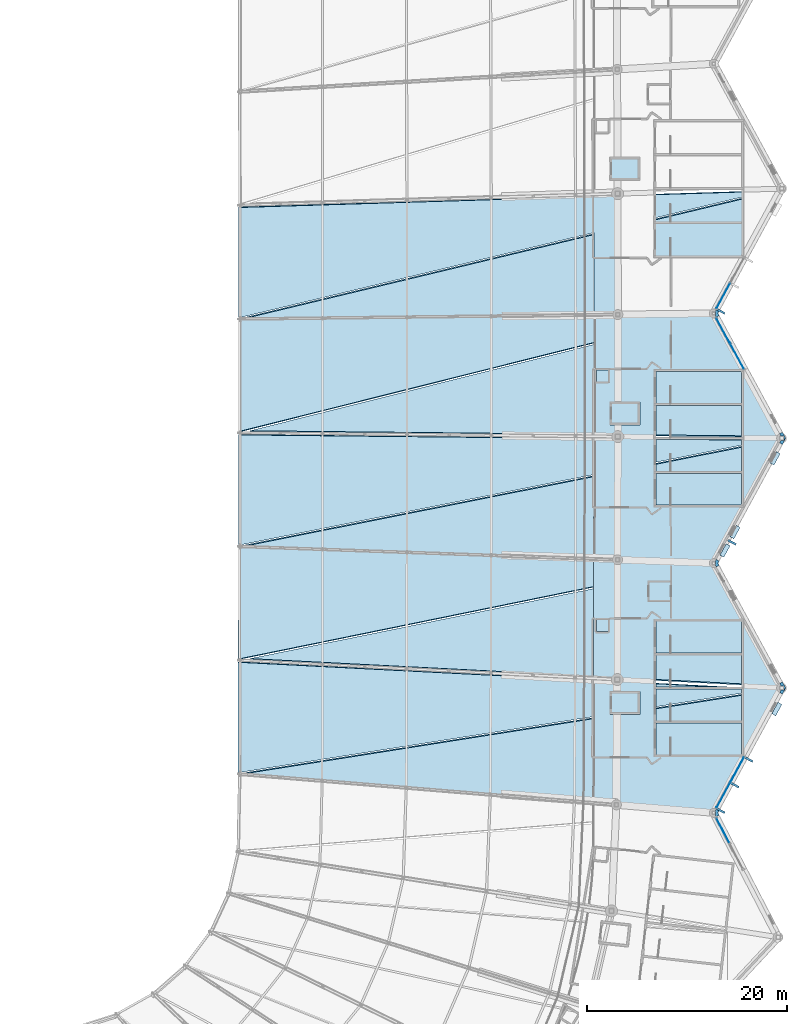
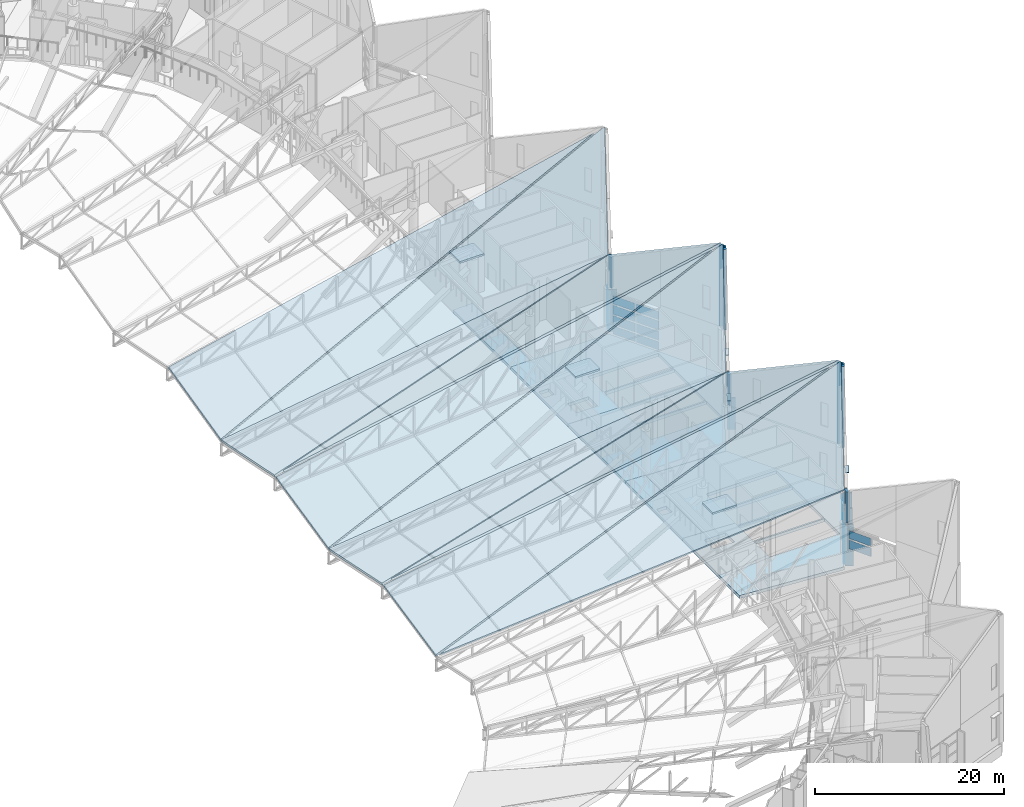
# One storey, part 233 of 344: 35 plates, 19 slabs, 4 elements without a shape of their own.
"""IFC4 building model written with IfcOpenShell, lengths in metres."""

import ifcopenshell
import ifcopenshell.guid

model = None  # the IFC model being written
_history = None  # IfcOwnerHistory: only IFC2X3 demands one
_inside = {}  # id of a spatial element -> (the spatial element, [elements in it])
_under = {}  # id of a project, library or spatial element -> (it, [spatial elements below it])
_declared = {}  # id of a project -> (the project, [libraries it declares])
_typed = {}  # id of a type object -> (the type object, [elements of that type])
_made_of = {}  # id of a material, layer set ... -> (it, [elements and type objects made of it])


def new_model(schema):
    """Start an empty IFC model of exactly this schema.

    Asked for "IFC4X3", IfcOpenShell would pick the latest addendum, in which some entities
    have other attributes; the version numbers below select the first issue.
    IFC2X3 requires an IfcOwnerHistory on every rooted entity: one is made here for all.
    """
    global model, _history
    if schema == "IFC4X3":
        model = ifcopenshell.file(schema_version=(4, 3, 0, 0))
    else:
        model = ifcopenshell.file(schema=schema)
    _inside.clear()
    _under.clear()
    _declared.clear()
    _typed.clear()
    _made_of.clear()
    _history = None
    if model.schema == "IFC2X3":
        org = make("IfcOrganization", Name="unknown")
        user = make(
            "IfcPersonAndOrganization",
            ThePerson=make("IfcPerson", FamilyName="unknown"),
            TheOrganization=org,
        )
        app = make(
            "IfcApplication",
            ApplicationDeveloper=org,
            Version="unknown",
            ApplicationFullName="unknown",
            ApplicationIdentifier="unknown",
        )
        _history = make(
            "IfcOwnerHistory",
            OwningUser=user,
            OwningApplication=app,
            ChangeAction="ADDED",
            CreationDate=0,
        )
    return model


def make(cls, **values):
    """One entity of the class cls with the attributes given. An attribute that is None is left unset."""
    return model.create_entity(
        cls, **{name: value for name, value in values.items() if value is not None}
    )


def rooted(cls, **values):
    """An entity with a GlobalId (a new one), such as an element, a storey or a relation."""
    return make(cls, GlobalId=ifcopenshell.guid.new(), OwnerHistory=_history, **values)


def si_unit(unit_type, name, prefix=None):
    """IfcSIUnit, for example si_unit("LENGTHUNIT", "METRE", prefix="MILLI")."""
    return make("IfcSIUnit", UnitType=unit_type, Prefix=prefix, Name=name)


def assignment(units):
    """IfcUnitAssignment: the units of a project."""
    return None if units is None else make("IfcUnitAssignment", Units=units)


def point(xyz):
    """IfcCartesianPoint."""
    return None if xyz is None else make("IfcCartesianPoint", Coordinates=xyz)


def direction(xyz):
    """IfcDirection."""
    return None if xyz is None else make("IfcDirection", DirectionRatios=xyz)


def frame(location, z_axis=None, x_axis=None):
    """IfcAxis2Placement3D, a coordinate frame: its origin and axes. An axis left out is left unset."""
    return make(
        "IfcAxis2Placement3D",
        Location=point(location),
        Axis=direction(z_axis),
        RefDirection=direction(x_axis),
    )


def frame_2d(location, x_axis=None):
    """IfcAxis2Placement2D, a coordinate frame in the plane: its origin and x axis."""
    return make(
        "IfcAxis2Placement2D", Location=point(location), RefDirection=direction(x_axis)
    )


def origin():
    """The frame at (0, 0, 0) with its axes left unset."""
    return frame((0.0, 0.0, 0.0))


def origin_2d():
    """The frame at (0, 0) in the plane with its x axis left unset."""
    return frame_2d((0.0, 0.0))


def place(relative_to, where):
    """IfcLocalPlacement: puts the frame where relative to a parent placement (None: the world)."""
    return make(
        "IfcLocalPlacement", PlacementRelTo=relative_to, RelativePlacement=where
    )


def context(
    kind, dimensions, precision=None, world=None, true_north=None, identifier=None
):
    """IfcGeometricRepresentationContext, for example the 3D "Model" context."""
    return make(
        "IfcGeometricRepresentationContext",
        ContextIdentifier=identifier,
        ContextType=kind,
        CoordinateSpaceDimension=dimensions,
        Precision=precision,
        WorldCoordinateSystem=world,
        TrueNorth=true_north,
    )


def subcontext(parent, identifier, kind, view, scale=None):
    """IfcGeometricRepresentationSubContext, for example "Body" below "Model"."""
    return make(
        "IfcGeometricRepresentationSubContext",
        ContextIdentifier=identifier,
        ContextType=kind,
        ParentContext=parent,
        TargetScale=scale,
        TargetView=view,
    )


def project(units=None, contexts=None):
    """IfcProject with its units and contexts."""
    return rooted(
        "IfcProject",
        Name="project",
        RepresentationContexts=contexts,
        UnitsInContext=assignment(units),
    )


def spatial(cls, under=None, at=None, **own):
    """A site, building, storey or space (cls), placed at a placement, below another one or the project."""
    s = rooted(cls, ObjectPlacement=at, **own)
    if under is not None:
        _under.setdefault(under.id(), (under, []))[1].append(s)
    return s


def polyline(points):
    """IfcPolyline through the points."""
    return make("IfcPolyline", Points=[point(p) for p in points])


def profile(cls, at=None, kind="AREA", **sizes):
    """A parametric profile (cls). Its sizes go by their IFC names, for example OverallWidth=200.0."""
    return make(cls, ProfileType=kind, Position=at, **sizes)


def rectangle(**sizes):
    """IfcRectangleProfileDef."""
    return profile("IfcRectangleProfileDef", **sizes)


def outline(outer, holes=None, kind="AREA"):
    """IfcArbitraryClosedProfileDef: a profile drawn as a closed curve; with holes, ...WithVoids."""
    if holes is None:
        return make("IfcArbitraryClosedProfileDef", ProfileType=kind, OuterCurve=outer)
    return make(
        "IfcArbitraryProfileDefWithVoids",
        ProfileType=kind,
        OuterCurve=outer,
        InnerCurves=holes,
    )


def extrude(swept, where, along, depth):
    """IfcExtrudedAreaSolid: the profile swept, set in the frame where, extruded along a direction by depth."""
    return make(
        "IfcExtrudedAreaSolid",
        SweptArea=swept,
        Position=where,
        ExtrudedDirection=direction(along),
        Depth=depth,
    )


def shape(context_of_items, identifier, shape_type, items):
    """IfcShapeRepresentation: the items that make up one representation, for example the "Body"."""
    return make(
        "IfcShapeRepresentation",
        ContextOfItems=context_of_items,
        RepresentationIdentifier=identifier,
        RepresentationType=shape_type,
        Items=items,
    )


def material(Name=None, Category=None):
    """IfcMaterial."""
    return make("IfcMaterial", Name=Name, Category=Category)


def layer(
    of_material, thickness, ventilated=None, Name=None, Category=None, Priority=None
):
    """IfcMaterialLayer: one layer of a wall or slab, of a material (None: an air gap)."""
    return make(
        "IfcMaterialLayer",
        Material=of_material,
        LayerThickness=thickness,
        IsVentilated=ventilated,
        Name=Name,
        Category=Category,
        Priority=Priority,
    )


def layer_set(layers, Name=None):
    """IfcMaterialLayerSet."""
    return make("IfcMaterialLayerSet", MaterialLayers=layers, LayerSetName=Name)


def made_of(thing, what):
    """Note that an element or type object is made of a material, layer set ...; save() writes the relation."""
    if what is not None:
        _made_of.setdefault(what.id(), (what, []))[1].append(thing)
    return thing


def type_object(cls, material=None, **own):
    """A type object (cls), such as IfcWallType, which elements share."""
    return made_of(rooted(cls, **own), material)


def element(
    cls,
    number,
    at=None,
    inside=None,
    cuts=None,
    type_object=None,
    material=None,
    context=None,
    identifier="Body",
    shape_type=None,
    held_by="IfcProductDefinitionShape",
    body=None,
    shapes=None,
    **own,
):
    """One element of the class cls, such as IfcWall. Its Tag is "e" and its number.

    at: its placement. inside: the storey or other place that contains it. cuts: it is an
    opening in that element (IfcRelVoidsElement). A single representation is given by context,
    identifier, shape_type and body (its items); several are given by shapes. held_by: the class
    of the entity that holds the representations. save() writes the other relations.
    """
    e = rooted(cls, Tag="e%d" % number, ObjectPlacement=at, **own)
    if body is not None:
        shapes = [shape(context, identifier, shape_type, body)]
    if shapes is not None:
        e.Representation = make(held_by, Representations=shapes)
    if inside is not None:
        _inside.setdefault(inside.id(), (inside, []))[1].append(e)
    if cuts is not None:
        rooted(
            "IfcRelVoidsElement", RelatingBuildingElement=cuts, RelatedOpeningElement=e
        )
    if type_object is not None:
        _typed.setdefault(type_object.id(), (type_object, []))[1].append(e)
    return made_of(e, material)


def aggregate(whole, parts):
    """IfcRelAggregates: a whole, such as a stair, and the parts it consists of."""
    return rooted("IfcRelAggregates", RelatingObject=whole, RelatedObjects=parts)


def save(model, path):
    """Write the relations noted so far, then the file.

    IfcRelAggregates (storeys below a building ...), IfcRelContainedInSpatialStructure (elements
    in a storey), IfcRelDefinesByType, IfcRelAssociatesMaterial and IfcRelDeclares: one each for
    every whole, place, type object, material and project.
    """
    for whole, parts in _under.values():
        aggregate(whole, parts)
    for where, things in _inside.values():
        rooted(
            "IfcRelContainedInSpatialStructure",
            RelatedElements=things,
            RelatingStructure=where,
        )
    for kind, things in _typed.values():
        rooted("IfcRelDefinesByType", RelatedObjects=things, RelatingType=kind)
    for what, things in _made_of.values():
        rooted("IfcRelAssociatesMaterial", RelatedObjects=things, RelatingMaterial=what)
    for by, libraries in _declared.values():
        rooted("IfcRelDeclares", RelatingContext=by, RelatedDefinitions=libraries)
    model.write(path)


model = new_model("IFC4")

# Units and contexts
model_context = context("Model", 3, precision=1e-05, world=origin(), true_north=direction((0.0, 1.0)))
body_context = subcontext(model_context, "Body", "Model", "MODEL_VIEW")
ifc_project = project(units=[si_unit("LENGTHUNIT", "METRE"), si_unit("AREAUNIT", "SQUARE_METRE"), si_unit("VOLUMEUNIT", "CUBIC_METRE"), si_unit("PLANEANGLEUNIT", "RADIAN"), si_unit("MASSUNIT", "GRAM", prefix="KILO")], contexts=[model_context])

# Site, building, storey
site_placement = place(None, origin())
site = spatial("IfcSite", under=ifc_project, at=site_placement, CompositionType="ELEMENT")
building_placement = place(site_placement, origin())
building = spatial("IfcBuilding", under=site, at=building_placement, Name="Meseta Stadium", CompositionType="ELEMENT")
storey_placement = place(building_placement, frame((0.0, 0.0, 24.0)))
storey = spatial("IfcBuildingStorey", under=building, at=storey_placement, Name="L04", CompositionType="ELEMENT", Elevation=24.0)

# Plates
ifc_material_1 = material(Name="White precast concrete C40/50", Category="concrete")
ifc_layer_1 = layer(ifc_material_1, 0.199951171875)
ifc_layer_set_1 = layer_set([ifc_layer_1], Name="Brise-soleil fin 200x900")
plate_type_1 = type_object("IfcPlateType", Name="Brise-soleil fin 200x900", PredefinedType="USERDEFINED", material=ifc_layer_set_1)
for number, where, z_axis, x_axis, name in (
    (1, (95.31201171875, -43.539794921875, 0.0), (0.0, 0.0, 1.0), (0.477867090202, 0.878432151109, 0.0), "Brise-soleil fin F01.1"),
    (2, (96.709716796875, -40.970458984375, 0.0), (0.0, 0.0, 1.0), (0.477867090202, 0.878432151109, 0.0), "Brise-soleil fin F01.2"),
    (3, (98.107421875, -38.401123046875, 0.0), (0.0, 0.0, 1.0), (0.477867090202, 0.878432151109, 0.0), "Brise-soleil fin F01.3"),
    (4, (95.31201171875, 6.460205078125, 0.0), (0.0, 0.0, 1.0), (0.477867090202, 0.878432151109, 0.0), "Brise-soleil fin F05.1"),
):
    element("IfcPlate", number, at=place(storey_placement, frame(where, z_axis=z_axis, x_axis=x_axis)), inside=storey, type_object=plate_type_1, Name=name, ObjectType="FIN", PredefinedType="USERDEFINED", context=body_context, shape_type="SweptSolid", body=[
        extrude(rectangle(XDim=0.199951171875, YDim=0.89990234375, at=origin_2d()), origin(), (0.0, 0.0, 1.0), 5.35009765625),
    ])

# Curtain wall, plates
ifc_material_2 = material(Name="Steel S355", Category="steel")
ifc_layer_2 = layer(ifc_material_2, 0.300048828125)
ifc_layer_set_2 = layer_set([ifc_layer_2], Name="Valley atrium curtain wall")
curtain_wall_type = type_object("IfcCurtainWallType", Name="Valley atrium curtain wall", PredefinedType="NOTDEFINED", material=ifc_layer_set_2)
curtain_wall_1_placement = place(storey_placement, origin())
curtain_wall_1 = element("IfcCurtainWall", 5, at=curtain_wall_1_placement, inside=storey, type_object=curtain_wall_type, Name="Valley atrium glazing F00", PredefinedType="NOTDEFINED")
ifc_material_3 = material(Name="Glass", Category="glass")
ifc_layer_3 = layer(ifc_material_3, 0.035888671875)
ifc_layer_set_3 = layer_set([ifc_layer_3], Name="CW glass panel 36")
plate_type_2 = type_object("IfcPlateType", Name="CW glass panel 36", PredefinedType="CURTAIN_PANEL", material=ifc_layer_set_3)
plate_1_placement = place(storey_placement, frame((95.51416015625, -45.514404296875, 2.77490234375), z_axis=(0.0, 0.0, 1.0), x_axis=(-0.460015515377, 0.887910877066, 0.0)))
plate_1 = element("IfcPlate", 6, at=plate_1_placement, type_object=plate_type_2, Name="CWA panel 2.3", PredefinedType="CURTAIN_PANEL", context=body_context, shape_type="SweptSolid", body=[
    extrude(rectangle(XDim=2.77490234375, YDim=0.035888671875, at=origin_2d()), origin(), (0.0, 0.0, 1.0), 1.137451171875),
])
plate_2_placement = place(storey_placement, frame((95.51416015625, -45.514404296875, 4.112548828125), z_axis=(0.0, 0.0, 1.0), x_axis=(-0.460015515377, 0.887910877066, 0.0)))
plate_2 = element("IfcPlate", 7, at=plate_2_placement, type_object=plate_type_2, Name="CWA panel 2.4", PredefinedType="CURTAIN_PANEL", context=body_context, shape_type="SweptSolid", body=[
    extrude(rectangle(XDim=2.77490234375, YDim=0.035888671875, at=origin_2d()), origin(), (0.0, 0.0, 1.0), 1.03759765625),
])
aggregate(curtain_wall_1, [plate_1, plate_2])

curtain_wall_2_placement = place(storey_placement, origin())
curtain_wall_2 = element("IfcCurtainWall", 8, at=curtain_wall_2_placement, inside=storey, type_object=curtain_wall_type, Name="Valley atrium glazing F01", PredefinedType="NOTDEFINED")
plate_3_placement = place(storey_placement, frame((95.5498046875, -42.004150390625, 0.199951171875), z_axis=(0.0, 0.0, 1.0), x_axis=(0.477867090218, 0.8784321511, 0.0)))
plate_3 = element("IfcPlate", 9, at=plate_3_placement, type_object=plate_type_2, Name="CWA panel 1.1", PredefinedType="CURTAIN_PANEL", context=body_context, shape_type="SweptSolid", body=[
    extrude(rectangle(XDim=2.77490234375, YDim=0.035888671875, at=origin_2d()), origin(), (0.0, 0.0, 1.0), 1.03759765625),
])
plate_4_placement = place(storey_placement, frame((95.5498046875, -42.004150390625, 1.4375), z_axis=(0.0, 0.0, 1.0), x_axis=(0.477867090218, 0.8784321511, 0.0)))
plate_4 = element("IfcPlate", 10, at=plate_4_placement, type_object=plate_type_2, Name="CWA panel 1.2", PredefinedType="CURTAIN_PANEL", context=body_context, shape_type="SweptSolid", body=[
    extrude(rectangle(XDim=2.77490234375, YDim=0.035888671875, at=origin_2d()), origin(), (0.0, 0.0, 1.0), 1.137451171875),
])
plate_5_placement = place(storey_placement, frame((95.5498046875, -42.004150390625, 2.77490234375), z_axis=(0.0, 0.0, 1.0), x_axis=(0.477867090218, 0.8784321511, 0.0)))
plate_5 = element("IfcPlate", 11, at=plate_5_placement, type_object=plate_type_2, Name="CWA panel 1.3", PredefinedType="CURTAIN_PANEL", context=body_context, shape_type="SweptSolid", body=[
    extrude(rectangle(XDim=2.77490234375, YDim=0.035888671875, at=origin_2d()), origin(), (0.0, 0.0, 1.0), 1.137451171875),
])
plate_6_placement = place(storey_placement, frame((95.5498046875, -42.004150390625, 4.112548828125), z_axis=(0.0, 0.0, 1.0), x_axis=(0.477867090218, 0.8784321511, 0.0)))
plate_6 = element("IfcPlate", 12, at=plate_6_placement, type_object=plate_type_2, Name="CWA panel 1.4", PredefinedType="CURTAIN_PANEL", context=body_context, shape_type="SweptSolid", body=[
    extrude(rectangle(XDim=2.77490234375, YDim=0.035888671875, at=origin_2d()), origin(), (0.0, 0.0, 1.0), 1.03759765625),
])
plate_7_placement = place(storey_placement, frame((96.947509765625, -39.434814453125, 0.199951171875), z_axis=(0.0, 0.0, 1.0), x_axis=(0.477867090218, 0.8784321511, 0.0)))
plate_7 = element("IfcPlate", 13, at=plate_7_placement, type_object=plate_type_2, Name="CWA panel 2.1", PredefinedType="CURTAIN_PANEL", context=body_context, shape_type="SweptSolid", body=[
    extrude(rectangle(XDim=2.77490234375, YDim=0.035888671875, at=origin_2d()), origin(), (0.0, 0.0, 1.0), 1.03759765625),
])
plate_8_placement = place(storey_placement, frame((96.947509765625, -39.434814453125, 1.4375), z_axis=(0.0, 0.0, 1.0), x_axis=(0.477867090218, 0.8784321511, 0.0)))
plate_8 = element("IfcPlate", 14, at=plate_8_placement, type_object=plate_type_2, Name="CWA panel 2.2", PredefinedType="CURTAIN_PANEL", context=body_context, shape_type="SweptSolid", body=[
    extrude(rectangle(XDim=2.77490234375, YDim=0.035888671875, at=origin_2d()), origin(), (0.0, 0.0, 1.0), 1.137451171875),
])
plate_9_placement = place(storey_placement, frame((96.947509765625, -39.434814453125, 2.77490234375), z_axis=(0.0, 0.0, 1.0), x_axis=(0.477867090218, 0.8784321511, 0.0)))
plate_9 = element("IfcPlate", 15, at=plate_9_placement, type_object=plate_type_2, Name="CWA panel 2.3", PredefinedType="CURTAIN_PANEL", context=body_context, shape_type="SweptSolid", body=[
    extrude(rectangle(XDim=2.77490234375, YDim=0.035888671875, at=origin_2d()), origin(), (0.0, 0.0, 1.0), 1.137451171875),
])
plate_10_placement = place(storey_placement, frame((96.947509765625, -39.434814453125, 4.112548828125), z_axis=(0.0, 0.0, 1.0), x_axis=(0.477867090218, 0.8784321511, 0.0)))
plate_10 = element("IfcPlate", 16, at=plate_10_placement, type_object=plate_type_2, Name="CWA panel 2.4", PredefinedType="CURTAIN_PANEL", context=body_context, shape_type="SweptSolid", body=[
    extrude(rectangle(XDim=2.77490234375, YDim=0.035888671875, at=origin_2d()), origin(), (0.0, 0.0, 1.0), 1.03759765625),
])
aggregate(curtain_wall_2, [plate_3, plate_4, plate_5, plate_6, plate_7, plate_8, plate_9, plate_10])

curtain_wall_3_placement = place(storey_placement, origin())
curtain_wall_3 = element("IfcCurtainWall", 17, at=curtain_wall_3_placement, inside=storey, type_object=curtain_wall_type, Name="Valley atrium glazing F04", PredefinedType="NOTDEFINED")
plate_11_placement = place(storey_placement, frame((96.947509765625, 1.934814453125, 0.199951171875), z_axis=(0.0, 0.0, 1.0), x_axis=(-0.477867090218, 0.8784321511, 0.0)))
plate_11 = element("IfcPlate", 18, at=plate_11_placement, type_object=plate_type_2, Name="CWA panel 1.1", PredefinedType="CURTAIN_PANEL", context=body_context, shape_type="SweptSolid", body=[
    extrude(rectangle(XDim=2.77490234375, YDim=0.035888671875, at=origin_2d()), origin(), (0.0, 0.0, 1.0), 1.03759765625),
])
plate_12_placement = place(storey_placement, frame((96.947509765625, 1.934814453125, 1.4375), z_axis=(0.0, 0.0, 1.0), x_axis=(-0.477867090218, 0.8784321511, 0.0)))
plate_12 = element("IfcPlate", 19, at=plate_12_placement, type_object=plate_type_2, Name="CWA panel 1.2", PredefinedType="CURTAIN_PANEL", context=body_context, shape_type="SweptSolid", body=[
    extrude(rectangle(XDim=2.77490234375, YDim=0.035888671875, at=origin_2d()), origin(), (0.0, 0.0, 1.0), 1.137451171875),
])
plate_13_placement = place(storey_placement, frame((96.947509765625, 1.934814453125, 2.77490234375), z_axis=(0.0, 0.0, 1.0), x_axis=(-0.477867090218, 0.8784321511, 0.0)))
plate_13 = element("IfcPlate", 20, at=plate_13_placement, type_object=plate_type_2, Name="CWA panel 1.3", PredefinedType="CURTAIN_PANEL", context=body_context, shape_type="SweptSolid", body=[
    extrude(rectangle(XDim=2.77490234375, YDim=0.035888671875, at=origin_2d()), origin(), (0.0, 0.0, 1.0), 1.137451171875),
])
plate_14_placement = place(storey_placement, frame((96.947509765625, 1.934814453125, 4.112548828125), z_axis=(0.0, 0.0, 1.0), x_axis=(-0.477867090218, 0.8784321511, 0.0)))
plate_14 = element("IfcPlate", 21, at=plate_14_placement, type_object=plate_type_2, Name="CWA panel 1.4", PredefinedType="CURTAIN_PANEL", context=body_context, shape_type="SweptSolid", body=[
    extrude(rectangle(XDim=2.77490234375, YDim=0.035888671875, at=origin_2d()), origin(), (0.0, 0.0, 1.0), 1.03759765625),
])
plate_15_placement = place(storey_placement, frame((95.5498046875, 4.504150390625, 0.199951171875), z_axis=(0.0, 0.0, 1.0), x_axis=(-0.477867090218, 0.8784321511, 0.0)))
plate_15 = element("IfcPlate", 22, at=plate_15_placement, type_object=plate_type_2, Name="CWA panel 2.1", PredefinedType="CURTAIN_PANEL", context=body_context, shape_type="SweptSolid", body=[
    extrude(rectangle(XDim=2.77490234375, YDim=0.035888671875, at=origin_2d()), origin(), (0.0, 0.0, 1.0), 1.03759765625),
])
plate_16_placement = place(storey_placement, frame((95.5498046875, 4.504150390625, 1.4375), z_axis=(0.0, 0.0, 1.0), x_axis=(-0.477867090218, 0.8784321511, 0.0)))
plate_16 = element("IfcPlate", 23, at=plate_16_placement, type_object=plate_type_2, Name="CWA panel 2.2", PredefinedType="CURTAIN_PANEL", context=body_context, shape_type="SweptSolid", body=[
    extrude(rectangle(XDim=2.77490234375, YDim=0.035888671875, at=origin_2d()), origin(), (0.0, 0.0, 1.0), 1.137451171875),
])
plate_17_placement = place(storey_placement, frame((95.5498046875, 4.504150390625, 2.77490234375), z_axis=(0.0, 0.0, 1.0), x_axis=(-0.477867090218, 0.8784321511, 0.0)))
plate_17 = element("IfcPlate", 24, at=plate_17_placement, type_object=plate_type_2, Name="CWA panel 2.3", PredefinedType="CURTAIN_PANEL", context=body_context, shape_type="SweptSolid", body=[
    extrude(rectangle(XDim=2.77490234375, YDim=0.035888671875, at=origin_2d()), origin(), (0.0, 0.0, 1.0), 1.137451171875),
])
plate_18_placement = place(storey_placement, frame((95.5498046875, 4.504150390625, 4.112548828125), z_axis=(0.0, 0.0, 1.0), x_axis=(-0.477867090218, 0.8784321511, 0.0)))
plate_18 = element("IfcPlate", 25, at=plate_18_placement, type_object=plate_type_2, Name="CWA panel 2.4", PredefinedType="CURTAIN_PANEL", context=body_context, shape_type="SweptSolid", body=[
    extrude(rectangle(XDim=2.77490234375, YDim=0.035888671875, at=origin_2d()), origin(), (0.0, 0.0, 1.0), 1.03759765625),
])
aggregate(curtain_wall_3, [plate_11, plate_12, plate_13, plate_14, plate_15, plate_16, plate_17, plate_18])

curtain_wall_4_placement = place(storey_placement, origin())
curtain_wall_4 = element("IfcCurtainWall", 26, at=curtain_wall_4_placement, inside=storey, type_object=curtain_wall_type, Name="Valley atrium glazing F05", PredefinedType="NOTDEFINED")
plate_19_placement = place(storey_placement, frame((95.5498046875, 7.995849609375, 0.199951171875), z_axis=(0.0, 0.0, 1.0), x_axis=(0.477867090218, 0.8784321511, 0.0)))
plate_19 = element("IfcPlate", 27, at=plate_19_placement, type_object=plate_type_2, Name="CWA panel 1.1", PredefinedType="CURTAIN_PANEL", context=body_context, shape_type="SweptSolid", body=[
    extrude(rectangle(XDim=2.77490234375, YDim=0.035888671875, at=origin_2d()), origin(), (0.0, 0.0, 1.0), 1.03759765625),
])
plate_20_placement = place(storey_placement, frame((95.5498046875, 7.995849609375, 1.4375), z_axis=(0.0, 0.0, 1.0), x_axis=(0.477867090218, 0.8784321511, 0.0)))
plate_20 = element("IfcPlate", 28, at=plate_20_placement, type_object=plate_type_2, Name="CWA panel 1.2", PredefinedType="CURTAIN_PANEL", context=body_context, shape_type="SweptSolid", body=[
    extrude(rectangle(XDim=2.77490234375, YDim=0.035888671875, at=origin_2d()), origin(), (0.0, 0.0, 1.0), 1.137451171875),
])
plate_21_placement = place(storey_placement, frame((95.5498046875, 7.995849609375, 2.77490234375), z_axis=(0.0, 0.0, 1.0), x_axis=(0.477867090218, 0.8784321511, 0.0)))
plate_21 = element("IfcPlate", 29, at=plate_21_placement, type_object=plate_type_2, Name="CWA panel 1.3", PredefinedType="CURTAIN_PANEL", context=body_context, shape_type="SweptSolid", body=[
    extrude(rectangle(XDim=2.77490234375, YDim=0.035888671875, at=origin_2d()), origin(), (0.0, 0.0, 1.0), 1.137451171875),
])
aggregate(curtain_wall_4, [plate_19, plate_20, plate_21])

# Slabs
ifc_material_4 = material(Name="Concrete C40/50", Category="concrete")
ifc_layer_4 = layer(ifc_material_4, 0.25)
ifc_layer_set_4 = layer_set([ifc_layer_4], Name="Core roof slab 250")
slab_type_1 = type_object("IfcSlabType", Name="Core roof slab 250", PredefinedType="ROOF", material=ifc_layer_set_4)
slab_1_placement = place(storey_placement, frame((0.0, 0.0, 4.60009765625)))
element("IfcSlab", 30, at=slab_1_placement, inside=storey, type_object=slab_type_1, Name="Core 02 lift overrun roof", PredefinedType="ROOF", context=body_context, shape_type="SweptSolid", body=[
    extrude(outline(polyline([(87.199951171875, -33.89990234375), (84.199951171875, -33.89990234375), (84.199951171875, -31.60009765625), (87.199951171875, -31.60009765625), (87.199951171875, -33.89990234375)])), origin(), (0.0, 0.0, 1.0), 0.25),
])
slab_2_placement = place(storey_placement, frame((0.0, 0.0, 4.60009765625)))
element("IfcSlab", 31, at=slab_2_placement, inside=storey, type_object=slab_type_1, Name="Core 03 lift overrun roof", PredefinedType="ROOF", context=body_context, shape_type="SweptSolid", body=[
    extrude(outline(polyline([(87.199951171875, -4.89990234375), (84.199951171875, -4.89990234375), (84.199951171875, -2.60009765625), (87.199951171875, -2.60009765625), (87.199951171875, -4.89990234375)])), origin(), (0.0, 0.0, 1.0), 0.25),
])
slab_3_placement = place(storey_placement, frame((0.0, 0.0, 4.60009765625)))
element("IfcSlab", 32, at=slab_3_placement, inside=storey, type_object=slab_type_1, Name="Core 04 lift overrun roof", PredefinedType="ROOF", context=body_context, shape_type="SweptSolid", body=[
    extrude(outline(polyline([(87.199951171875, 19.60009765625), (84.199951171875, 19.60009765625), (84.199951171875, 21.89990234375), (87.199951171875, 21.89990234375), (87.199951171875, 19.60009765625)])), origin(), (0.0, 0.0, 1.0), 0.25),
])
ifc_material_5 = material(Name="Concrete C40/50", Category="concrete")
ifc_layer_5 = layer(ifc_material_5, 0.39990234375)
ifc_layer_set_5 = layer_set([ifc_layer_5], Name="Floor slab 400")
slab_type_2 = type_object("IfcSlabType", Name="Floor slab 400", PredefinedType="FLOOR", material=ifc_layer_set_5)
slab_4_placement = place(storey_placement, frame((0.0, 0.0, -0.39990234375)))
element("IfcSlab", 33, at=slab_4_placement, inside=storey, type_object=slab_type_2, Name="Floor slab L04 sector 00 panel 01", PredefinedType="FLOOR", context=body_context, shape_type="SweptSolid", body=[
    extrude(outline(polyline([(82.56640625, -22.296142578125), (82.545654296875, -28.3759765625), (82.53759765625, -30.40234375), (84.939697265625, -30.533935546875), (84.973388671875, -18.321533203125), (82.577392578125, -18.24267578125), (82.56640625, -22.296142578125)]), holes=[polyline([(84.050048828125, -24.39990234375), (84.050048828125, -25.60009765625), (82.85009765625, -25.60009765625), (82.85009765625, -24.39990234375), (84.050048828125, -24.39990234375)])]), origin(), (0.0, 0.0, 1.0), 0.39990234375),
])
slab_5_placement = place(storey_placement, frame((0.0, 0.0, -0.39990234375)))
element("IfcSlab", 34, at=slab_5_placement, inside=storey, type_object=slab_type_2, Name="Floor slab L04 sector 00 panel 02", PredefinedType="FLOOR", context=body_context, shape_type="SweptSolid", body=[
    extrude(outline(polyline([(82.58642578125, 14.18896484375), (82.595703125, 8.108154296875), (82.597412109375, 6.0810546875), (84.9970703125, 6.107421875), (84.978271484375, 18.32177734375), (82.577392578125, 18.24267578125), (82.58642578125, 14.18896484375)])), origin(), (0.0, 0.0, 1.0), 0.39990234375),
])
slab_6_placement = place(storey_placement, frame((0.0, 0.0, -0.39990234375)))
element("IfcSlab", 35, at=slab_6_placement, inside=storey, type_object=slab_type_2, Name="Floor slab L04 sector 00 panel 03", PredefinedType="FLOOR", context=body_context, shape_type="SweptSolid", body=[
    extrude(outline(polyline([(88.8798828125, -6.14990234375), (88.800048828125, -6.14990234375), (88.800048828125, -6.149169921875), (82.597412109375, -6.0810546875), (82.593017578125, -10.135009765625), (82.582275390625, -16.2158203125), (82.577392578125, -18.24267578125), (84.973388671875, -18.321533203125), (84.97314453125, -18.41064453125), (94.60009765625, -18.75), (101.3798828125, -6.287109375), (88.8798828125, -6.14990234375)]), holes=[polyline([(97.39990234375, -12.949951171875), (88.800048828125, -12.949951171875), (88.800048828125, -9.75), (97.39990234375, -9.75), (97.39990234375, -12.949951171875)]), polyline([(97.39990234375, -9.550048828125), (88.800048828125, -9.550048828125), (88.800048828125, -6.35009765625), (97.39990234375, -6.35009765625), (97.39990234375, -9.550048828125)])]), origin(), (0.0, 0.0, 1.0), 0.39990234375),
])
slab_7_placement = place(storey_placement, frame((0.0, 0.0, -0.39990234375)))
element("IfcSlab", 36, at=slab_7_placement, inside=storey, type_object=slab_type_2, Name="Floor slab L04 sector 00 panel 04", PredefinedType="FLOOR", context=body_context, shape_type="SweptSolid", body=[
    extrude(outline(polyline([(88.800048828125, -30.74560546875), (82.53759765625, -30.40234375), (82.51025390625, -36.48095703125), (82.47802734375, -42.55859375), (94.736328125, -43.49951171875), (101.301513671875, -31.430908203125), (96.176025390625, -31.14990234375), (88.800048828125, -31.14990234375), (88.800048828125, -30.74560546875)]), holes=[polyline([(84.39990234375, -33.699951171875), (84.39990234375, -31.800048828125), (87.0, -31.800048828125), (87.0, -33.699951171875), (84.39990234375, -33.699951171875)]), polyline([(88.800048828125, -34.75), (97.39990234375, -34.75), (97.39990234375, -37.949951171875), (88.800048828125, -37.949951171875), (88.800048828125, -34.75)]), polyline([(88.800048828125, -31.35009765625), (97.39990234375, -31.35009765625), (97.39990234375, -34.550048828125), (88.800048828125, -34.550048828125), (88.800048828125, -31.35009765625)])]), origin(), (0.0, 0.0, 1.0), 0.39990234375),
])
slab_8_placement = place(storey_placement, frame((0.0, 0.0, -0.39990234375)))
element("IfcSlab", 37, at=slab_8_placement, inside=storey, type_object=slab_type_2, Name="Floor slab L04 sector 00 panel 06", PredefinedType="FLOOR", context=body_context, shape_type="SweptSolid", body=[
    extrude(outline(polyline([(94.6201171875, 6.212890625), (82.597412109375, 6.0810546875), (82.60009765625, 0.0), (82.597412109375, -6.0810546875), (84.99755859375, -6.107421875), (88.800048828125, -6.149169921875), (88.800048828125, -2.949951171875), (97.39990234375, -2.949951171875), (97.39990234375, -6.14990234375), (88.8798828125, -6.14990234375), (101.3798828125, -6.287109375), (101.39990234375, -6.25), (94.6201171875, 6.212890625)]), holes=[polyline([(87.0, -4.699951171875), (84.99755859375, -4.699951171875), (84.39990234375, -4.699951171875), (84.39990234375, -2.800048828125), (87.0, -2.800048828125), (87.0, -4.699951171875)]), polyline([(82.85009765625, 0.60009765625), (84.050048828125, 0.60009765625), (84.050048828125, -0.60009765625), (82.85009765625, -0.60009765625), (82.85009765625, 0.60009765625)]), polyline([(88.800048828125, 0.449951171875), (97.39990234375, 0.449951171875), (97.39990234375, -2.75), (88.800048828125, -2.75), (88.800048828125, 0.449951171875)])]), origin(), (0.0, 0.0, 1.0), 0.39990234375),
])
slab_9_placement = place(storey_placement, frame((0.0, 0.0, -0.39990234375)))
element("IfcSlab", 38, at=slab_9_placement, inside=storey, type_object=slab_type_2, Name="Floor slab L04 sector 00 panel 08", PredefinedType="FLOOR", context=body_context, shape_type="SweptSolid", body=[
    extrude(outline(polyline([(101.39990234375, -31.25), (94.60009765625, -18.75), (84.97314453125, -18.41064453125), (84.939697265625, -30.533935546875), (88.800048828125, -30.74560546875), (88.800048828125, -27.949951171875), (97.39990234375, -27.949951171875), (97.39990234375, -31.14990234375), (96.176025390625, -31.14990234375), (101.301513671875, -31.430908203125), (101.39990234375, -31.25)]), holes=[polyline([(97.39990234375, -27.75), (88.800048828125, -27.75), (88.800048828125, -24.550048828125), (97.39990234375, -24.550048828125), (97.39990234375, -27.75)])]), origin(), (0.0, 0.0, 1.0), 0.39990234375),
])

# Plates
ifc_material_6 = material(Name="White precast concrete C40/50", Category="concrete")
ifc_layer_6 = layer(ifc_material_6, 0.320068359375)
ifc_layer_set_6 = layer_set([ifc_layer_6], Name="Fold closer plate 320")
plate_type_3 = type_object("IfcPlateType", Name="Fold closer plate 320", PredefinedType="USERDEFINED", material=ifc_layer_set_6)
plate_22_placement = place(storey_placement, frame((0.0, 0.0, 6.0)))
element("IfcPlate", 39, at=plate_22_placement, inside=storey, type_object=plate_type_3, Name="Pleated fascia fold closer L04 F00", ObjectType="CLADDING", PredefinedType="USERDEFINED", context=body_context, shape_type="SweptSolid", body=[
    extrude(outline(polyline([(94.727783203125, -43.909912109375), (94.84228515625, -44.130859375), (95.12646484375, -43.983642578125), (95.007568359375, -43.754150390625), (95.131103515625, -43.52685546875), (94.85009765625, -43.3740234375), (94.732666015625, -43.590087890625), (94.7529296875, -43.59033203125), (94.760009765625, -43.59912109375), (94.760009765625, -43.89990234375), (94.7529296875, -43.90966796875), (94.727783203125, -43.909912109375)])), origin(), (0.0, 0.0, 1.0), 3.977783203125),
])
plate_23_placement = place(storey_placement, frame((0.0, 0.0, 6.0)))
element("IfcPlate", 40, at=plate_23_placement, inside=storey, type_object=plate_type_3, Name="Pleated fascia fold closer L04 F01", ObjectType="CLADDING", PredefinedType="USERDEFINED", context=body_context, shape_type="SweptSolid", body=[
    extrude(outline(polyline([(101.331298828125, -31.4599609375), (101.1962890625, -31.708251953125), (101.477294921875, -31.861083984375), (101.809814453125, -31.25), (101.477294921875, -30.638916015625), (101.1962890625, -30.791748046875), (101.331298828125, -31.0400390625), (101.60009765625, -31.0400390625), (101.6083984375, -31.04443359375), (101.60986328125, -31.451904296875), (101.606201171875, -31.457763671875), (101.60009765625, -31.4599609375), (101.331298828125, -31.4599609375)])), origin(), (0.0, 0.0, 1.0), 10.446044921875),
])
plate_24_placement = place(storey_placement, frame((0.0, 0.0, 6.0)))
element("IfcPlate", 41, at=plate_24_placement, inside=storey, type_object=plate_type_3, Name="Pleated fascia fold closer L04 F02", ObjectType="CLADDING", PredefinedType="USERDEFINED", context=body_context, shape_type="SweptSolid", body=[
    extrude(outline(polyline([(94.732666015625, -18.909912109375), (94.85009765625, -19.1259765625), (95.131103515625, -18.97314453125), (95.009765625, -18.75), (95.131103515625, -18.52685546875), (94.85009765625, -18.3740234375), (94.732666015625, -18.590087890625), (94.7529296875, -18.59033203125), (94.760009765625, -18.59912109375), (94.760009765625, -18.89990234375), (94.75390625, -18.9091796875), (94.732666015625, -18.909912109375)])), origin(), (0.0, 0.0, 1.0), 3.978515625),
])
plate_25_placement = place(storey_placement, frame((0.0, 0.0, 6.0)))
element("IfcPlate", 42, at=plate_25_placement, inside=storey, type_object=plate_type_3, Name="Pleated fascia fold closer L04 F03", ObjectType="CLADDING", PredefinedType="USERDEFINED", context=body_context, shape_type="SweptSolid", body=[
    extrude(outline(polyline([(101.331298828125, -6.4599609375), (101.1962890625, -6.708251953125), (101.477294921875, -6.861083984375), (101.809814453125, -6.25), (101.477294921875, -5.638916015625), (101.1962890625, -5.791748046875), (101.331298828125, -6.0400390625), (101.60009765625, -6.0400390625), (101.6083984375, -6.04443359375), (101.60986328125, -6.451904296875), (101.606201171875, -6.457763671875), (101.60009765625, -6.4599609375), (101.331298828125, -6.4599609375)])), origin(), (0.0, 0.0, 1.0), 10.446044921875),
])
plate_26_placement = place(storey_placement, frame((0.0, 0.0, 6.0)))
element("IfcPlate", 43, at=plate_26_placement, inside=storey, type_object=plate_type_3, Name="Pleated fascia fold closer L04 F04", ObjectType="CLADDING", PredefinedType="USERDEFINED", context=body_context, shape_type="SweptSolid", body=[
    extrude(outline(polyline([(94.732666015625, 6.090087890625), (94.85009765625, 5.8740234375), (95.131103515625, 6.02685546875), (95.009765625, 6.25), (95.131103515625, 6.47314453125), (94.85009765625, 6.6259765625), (94.732666015625, 6.409912109375), (94.7529296875, 6.40966796875), (94.760009765625, 6.40087890625), (94.760009765625, 6.10009765625), (94.75390625, 6.0908203125), (94.732666015625, 6.090087890625)])), origin(), (0.0, 0.0, 1.0), 3.978515625),
])
ifc_material_7 = material(Name="White precast concrete C40/50", Category="concrete")
ifc_layer_7 = layer(ifc_material_7, 0.080078125)
ifc_layer_set_7 = layer_set([ifc_layer_7], Name="Louvre hood 1300x450")
plate_type_4 = type_object("IfcPlateType", Name="Louvre hood 1300x450", PredefinedType="USERDEFINED", material=ifc_layer_set_7)
for number, where, z_axis, x_axis, name in (
    (44, (100.919921875, -33.356689453125, 4.25), (0.0, 0.0, 1.0), (0.477867090202, 0.878432151109, 0.0), "Louvre hood L04 F01"),
    (45, (95.7265625, -17.484619140625, 4.25), (0.0, 0.0, 1.0), (0.477867090202, 0.878432151109, 0.0), "Louvre hood L04 F03"),
    (46, (96.730224609375, -15.639892578125, 4.25), (0.0, 0.0, 1.0), (0.477867090202, 0.878432151109, 0.0), "Louvre hood L04 F03"),
    (47, (100.744384765625, -8.260986328125, 4.25), (0.0, 0.0, 1.0), (0.477867090202, 0.878432151109, 0.0), "Louvre hood L04 F03"),
):
    element("IfcPlate", number, at=place(storey_placement, frame(where, z_axis=z_axis, x_axis=x_axis)), inside=storey, type_object=plate_type_4, Name=name, ObjectType="LOUVRE", PredefinedType="USERDEFINED", context=body_context, shape_type="SweptSolid", body=[
        extrude(rectangle(XDim=1.300048828125, YDim=0.449951171875, at=origin_2d()), origin(), (0.0, 0.0, 1.0), 0.080078125),
    ])
ifc_material_8 = material(Name="Precast concrete C40/50, terracotta pigment", Category="masonry")
ifc_layer_8 = layer(ifc_material_8, 0.199951171875)
ifc_layer_set_8 = layer_set([ifc_layer_8], Name="Precast concrete C40/50, terracotta pigment")
plate_type_5 = type_object("IfcPlateType", Name="Precast fin 200x900", PredefinedType="USERDEFINED", material=ifc_layer_set_8)
plate_27_placement = place(storey_placement, frame((96.426025390625, -16.669677734375, 0.9501953125), z_axis=(0.0, 0.0, 1.0), x_axis=(-0.47786723231, -0.878432073802, 0.0)))
element("IfcPlate", 48, at=plate_27_placement, inside=storey, type_object=plate_type_5, Name="Precast fin L04 F03.2", ObjectType="FIN", PredefinedType="USERDEFINED", context=body_context, shape_type="SweptSolid", body=[
    extrude(rectangle(XDim=0.199951171875, YDim=0.89990234375, at=origin_2d()), origin(), (0.0, 0.0, 1.0), 4.050048828125),
])

# Slabs
ifc_material_9 = material(Name="Precast concrete C40/50", Category="concrete")
ifc_layer_9 = layer(ifc_material_9, 0.300048828125)
ifc_layer_set_9 = layer_set([ifc_layer_9], Name="Roof plate 300")
slab_type_3 = type_object("IfcSlabType", Name="Roof plate 300", PredefinedType="ROOF", material=ifc_layer_set_9)
slab_10_placement = place(storey_placement, frame((99.8701171875, -31.3916015625, 16.62841796875), z_axis=(-0.213540918425, -0.20173361792, 0.955878561094), x_axis=(-0.95748696772, -0.151038853061, -0.245776263119)))
element("IfcSlab", 49, at=slab_10_placement, inside=storey, type_object=slab_type_3, Name="Roof panel RP-01 A", PredefinedType="ROOF", context=body_context, shape_type="SweptSolid", body=[
    extrude(outline(polyline([(0.0, 0.0), (55.235942728760435, -1.3322676295501878e-15), (52.98320765634238, -11.078090816823584), (0.0, 0.0)])), origin(), (0.0, 0.0, -1.0), 0.300048828125),
])
slab_11_placement = place(storey_placement, frame((94.60009765625, -43.75, 10.199951171875), z_axis=(-0.168496091482, -0.398741893553, 0.901451035543), x_axis=(-0.985604310679, 0.081050522242, -0.148374376545)))
element("IfcSlab", 50, at=slab_11_placement, inside=storey, type_object=slab_type_3, Name="Roof panel RP-01 B", PredefinedType="ROOF", context=body_context, shape_type="SweptSolid", body=[
    extrude(outline(polyline([(0.0, 0.0), (47.91511287561072, 0.0), (-6.642689998324517, -14.160620508569195), (0.0, 0.0)])), origin(), (0.0, 0.0, -1.0), 0.300048828125),
])
slab_12_placement = place(storey_placement, frame((46.996826171875, -17.072265625, 3.0576171875), z_axis=(-0.138316712875, 0.202603862208, 0.969443222658), x_axis=(0.988330096205, -0.034833089034, 0.148291189368)))
element("IfcSlab", 51, at=slab_12_placement, inside=storey, type_object=slab_type_3, Name="Roof panel RP-02 A", PredefinedType="ROOF", context=body_context, shape_type="SweptSolid", body=[
    extrude(outline(polyline([(0.0, 0.0), (47.74442874964297, 2.220446049250313e-16), (0.7366992832279161, -11.501741742463874), (0.0, 0.0)])), origin(), (0.0, 0.0, -1.0), 0.300048828125),
])
slab_13_placement = place(storey_placement, frame((101.28369140625, -31.036376953125, 16.8837890625), z_axis=(-0.171208254299, 0.397312969319, 0.90157092792), x_axis=(-0.976914641483, 0.050213895718, -0.207644763799)))
element("IfcSlab", 52, at=slab_13_placement, inside=storey, type_object=slab_type_3, Name="Roof panel RP-02 B", PredefinedType="ROOF", context=body_context, shape_type="SweptSolid", body=[
    extrude(outline(polyline([(0.0, 0.0), (54.3718938822768, -8.881784197001252e-16), (8.476378455218567, -12.853198575396314), (0.0, 0.0)])), origin(), (0.0, 0.0, -1.0), 0.300048828125),
])
slab_14_placement = place(storey_placement, frame((99.86962890625, -6.453857421875, 16.630126953125), z_axis=(-0.202408745245, -0.213715432248, 0.955696821104), x_axis=(-0.951195619087, -0.189218387224, -0.24376894012)))
element("IfcSlab", 53, at=slab_14_placement, inside=storey, type_object=slab_type_3, Name="Roof panel RP-03 A", PredefinedType="ROOF", context=body_context, shape_type="SweptSolid", body=[
    extrude(outline(polyline([(0.0, 0.0), (55.585624737372356, 4.440892098500626e-16), (52.88695895101347, -11.008650464780512), (0.0, 0.0)])), origin(), (0.0, 0.0, -1.0), 0.300048828125),
])
slab_15_placement = place(storey_placement, frame((94.60009765625, -18.75, 10.199951171875), z_axis=(-0.149499670245, -0.408503820844, 0.900430162174), x_axis=(-0.988330193315, 0.034834668397, -0.148290171148)))
element("IfcSlab", 54, at=slab_15_placement, inside=storey, type_object=slab_type_3, Name="Roof panel RP-03 B", PredefinedType="ROOF", context=body_context, shape_type="SweptSolid", body=[
    extrude(outline(polyline([(0.0, 0.0), (47.75628117871226, 0.0), (-7.231573741167602, -13.864514964051226), (0.0, 0.0)])), origin(), (0.0, 0.0, -1.0), 0.300048828125),
])
slab_16_placement = place(storey_placement, frame((46.999755859375, 5.690673828125, 3.29052734375), z_axis=(-0.143098756284, 0.197096009038, 0.969884482385), x_axis=(0.989561852782, 0.011628951967, 0.143638807412)))
element("IfcSlab", 55, at=slab_16_placement, inside=storey, type_object=slab_type_3, Name="Roof panel RP-04 A", PredefinedType="ROOF", context=body_context, shape_type="SweptSolid", body=[
    extrude(outline(polyline([(0.0, 0.0), (47.67784413739226, 0.0), (0.19810288526602532, -11.509879023938636), (0.0, 0.0)])), origin(), (0.0, 0.0, -1.0), 0.300048828125),
])
slab_17_placement = place(storey_placement, frame((101.28662109375, -6.04150390625, 16.886474609375), z_axis=(-0.184958319212, 0.390079519856, 0.902013518936), x_axis=(-0.978703191734, 0.010059451025, -0.205033826316)))
element("IfcSlab", 56, at=slab_17_placement, inside=storey, type_object=slab_type_3, Name="Roof panel RP-04 B", PredefinedType="ROOF", context=body_context, shape_type="SweptSolid", body=[
    extrude(outline(polyline([(0.0, 0.0), (54.291489345288284, 0.0), (7.98501676327216, -13.173192358925505), (0.0, 0.0)])), origin(), (0.0, 0.0, -1.0), 0.300048828125),
])
slab_18_placement = place(storey_placement, frame((99.867431640625, 18.4833984375, 16.637939453125), z_axis=(-0.185976365629, -0.228482599211, 0.955619429106), x_axis=(-0.944431829299, -0.226719115085, -0.238006224)))
element("IfcSlab", 57, at=slab_18_placement, inside=storey, type_object=slab_type_3, Name="Roof panel RP-05 A", PredefinedType="ROOF", context=body_context, shape_type="SweptSolid", body=[
    extrude(outline(polyline([(0.0, 0.0), (55.97854528169793, -8.881784197001252e-16), (52.84409016336008, -10.931937588333309), (0.0, 0.0)])), origin(), (0.0, 0.0, -1.0), 0.300048828125),
])
slab_19_placement = place(storey_placement, frame((94.60009765625, 6.25, 10.199951171875), z_axis=(-0.125492664306, -0.420542825187, 0.898551792268), x_axis=(-0.98956132332, -0.01162292295, -0.143642942925)))
element("IfcSlab", 58, at=slab_19_placement, inside=storey, type_object=slab_type_3, Name="Roof panel RP-05 B", PredefinedType="ROOF", context=body_context, shape_type="SweptSolid", body=[
    extrude(outline(polyline([(0.0, 0.0), (47.68157038751654, 8.881784197001252e-16), (-7.782354290113764, -13.558416236160376), (0.0, 0.0)])), origin(), (0.0, 0.0, -1.0), 0.300048828125),
])

save(model, "model.ifc")
